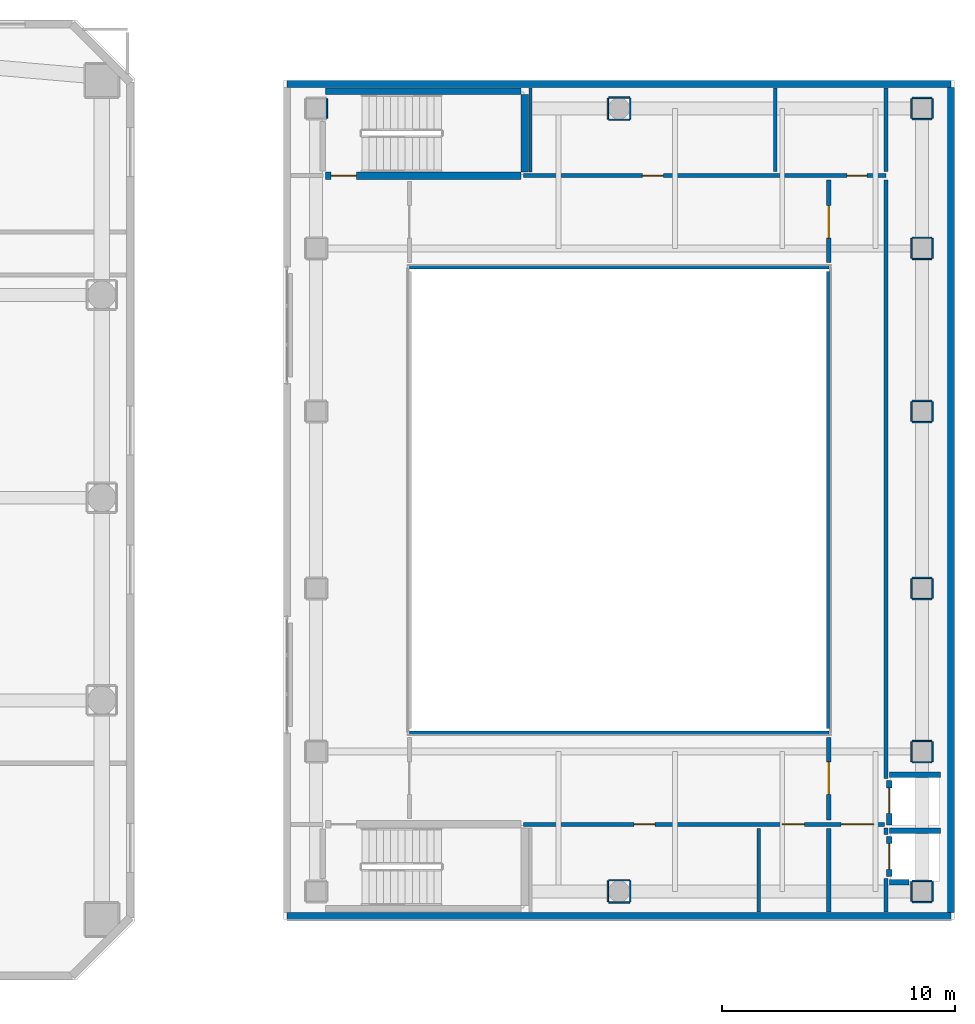
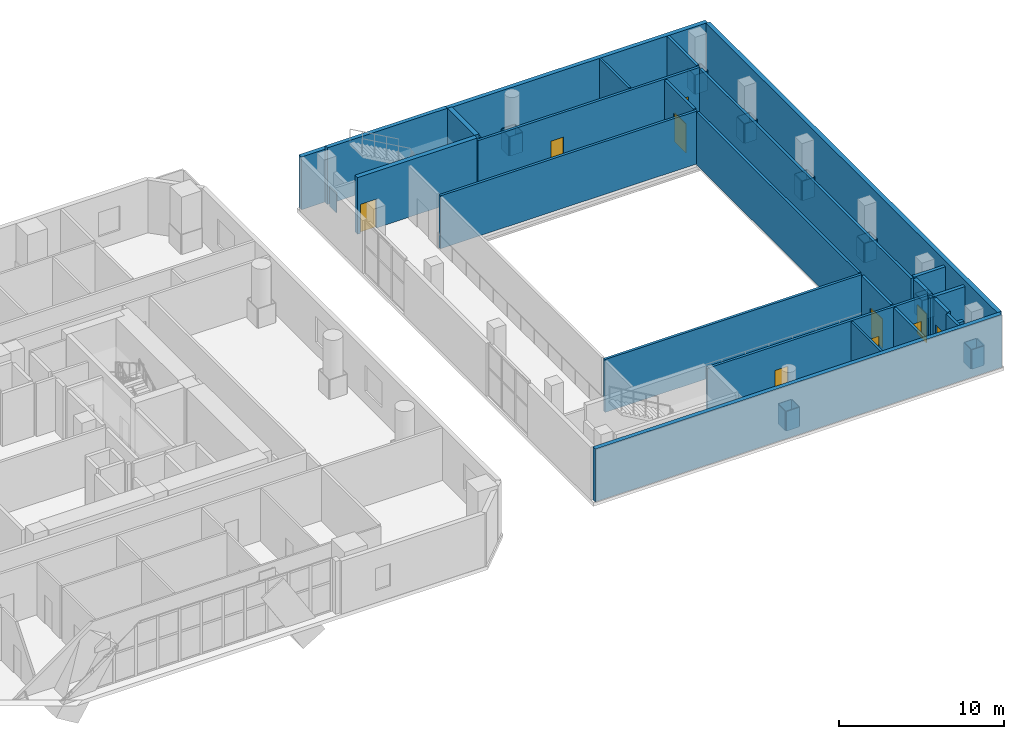
# One storey, part 16 of 20: 59 walls, 10 doors, 10 openings.
"""IFC4 building model written with IfcOpenShell, lengths in metres."""

import ifcopenshell
import ifcopenshell.guid

model = None  # the IFC model being written
_history = None  # IfcOwnerHistory: only IFC2X3 demands one
_inside = {}  # id of a spatial element -> (the spatial element, [elements in it])
_under = {}  # id of a project, library or spatial element -> (it, [spatial elements below it])
_declared = {}  # id of a project -> (the project, [libraries it declares])
_typed = {}  # id of a type object -> (the type object, [elements of that type])
_made_of = {}  # id of a material, layer set ... -> (it, [elements and type objects made of it])


def new_model(schema):
    """Start an empty IFC model of exactly this schema.

    Asked for "IFC4X3", IfcOpenShell would pick the latest addendum, in which some entities
    have other attributes; the version numbers below select the first issue.
    IFC2X3 requires an IfcOwnerHistory on every rooted entity: one is made here for all.
    """
    global model, _history
    if schema == "IFC4X3":
        model = ifcopenshell.file(schema_version=(4, 3, 0, 0))
    else:
        model = ifcopenshell.file(schema=schema)
    _inside.clear()
    _under.clear()
    _declared.clear()
    _typed.clear()
    _made_of.clear()
    _history = None
    if model.schema == "IFC2X3":
        org = make("IfcOrganization", Name="unknown")
        user = make(
            "IfcPersonAndOrganization",
            ThePerson=make("IfcPerson", FamilyName="unknown"),
            TheOrganization=org,
        )
        app = make(
            "IfcApplication",
            ApplicationDeveloper=org,
            Version="unknown",
            ApplicationFullName="unknown",
            ApplicationIdentifier="unknown",
        )
        _history = make(
            "IfcOwnerHistory",
            OwningUser=user,
            OwningApplication=app,
            ChangeAction="ADDED",
            CreationDate=0,
        )
    return model


def make(cls, **values):
    """One entity of the class cls with the attributes given. An attribute that is None is left unset."""
    return model.create_entity(
        cls, **{name: value for name, value in values.items() if value is not None}
    )


def rooted(cls, **values):
    """An entity with a GlobalId (a new one), such as an element, a storey or a relation."""
    return make(cls, GlobalId=ifcopenshell.guid.new(), OwnerHistory=_history, **values)


def si_unit(unit_type, name, prefix=None):
    """IfcSIUnit, for example si_unit("LENGTHUNIT", "METRE", prefix="MILLI")."""
    return make("IfcSIUnit", UnitType=unit_type, Prefix=prefix, Name=name)


def assignment(units):
    """IfcUnitAssignment: the units of a project."""
    return None if units is None else make("IfcUnitAssignment", Units=units)


def point(xyz):
    """IfcCartesianPoint."""
    return None if xyz is None else make("IfcCartesianPoint", Coordinates=xyz)


def direction(xyz):
    """IfcDirection."""
    return None if xyz is None else make("IfcDirection", DirectionRatios=xyz)


def frame(location, z_axis=None, x_axis=None):
    """IfcAxis2Placement3D, a coordinate frame: its origin and axes. An axis left out is left unset."""
    return make(
        "IfcAxis2Placement3D",
        Location=point(location),
        Axis=direction(z_axis),
        RefDirection=direction(x_axis),
    )


def frame_2d(location, x_axis=None):
    """IfcAxis2Placement2D, a coordinate frame in the plane: its origin and x axis."""
    return make(
        "IfcAxis2Placement2D", Location=point(location), RefDirection=direction(x_axis)
    )


def origin():
    """The frame at (0, 0, 0) with its axes left unset."""
    return frame((0.0, 0.0, 0.0))


def place(relative_to, where):
    """IfcLocalPlacement: puts the frame where relative to a parent placement (None: the world)."""
    return make(
        "IfcLocalPlacement", PlacementRelTo=relative_to, RelativePlacement=where
    )


def context(
    kind, dimensions, precision=None, world=None, true_north=None, identifier=None
):
    """IfcGeometricRepresentationContext, for example the 3D "Model" context."""
    return make(
        "IfcGeometricRepresentationContext",
        ContextIdentifier=identifier,
        ContextType=kind,
        CoordinateSpaceDimension=dimensions,
        Precision=precision,
        WorldCoordinateSystem=world,
        TrueNorth=true_north,
    )


def subcontext(parent, identifier, kind, view, scale=None):
    """IfcGeometricRepresentationSubContext, for example "Body" below "Model"."""
    return make(
        "IfcGeometricRepresentationSubContext",
        ContextIdentifier=identifier,
        ContextType=kind,
        ParentContext=parent,
        TargetScale=scale,
        TargetView=view,
    )


def project(units=None, contexts=None):
    """IfcProject with its units and contexts."""
    return rooted(
        "IfcProject",
        Name="project",
        RepresentationContexts=contexts,
        UnitsInContext=assignment(units),
    )


def spatial(cls, under=None, at=None, **own):
    """A site, building, storey or space (cls), placed at a placement, below another one or the project."""
    s = rooted(cls, ObjectPlacement=at, **own)
    if under is not None:
        _under.setdefault(under.id(), (under, []))[1].append(s)
    return s


def profile(cls, at=None, kind="AREA", **sizes):
    """A parametric profile (cls). Its sizes go by their IFC names, for example OverallWidth=200.0."""
    return make(cls, ProfileType=kind, Position=at, **sizes)


def rectangle(**sizes):
    """IfcRectangleProfileDef."""
    return profile("IfcRectangleProfileDef", **sizes)


def extrude(swept, where, along, depth):
    """IfcExtrudedAreaSolid: the profile swept, set in the frame where, extruded along a direction by depth."""
    return make(
        "IfcExtrudedAreaSolid",
        SweptArea=swept,
        Position=where,
        ExtrudedDirection=direction(along),
        Depth=depth,
    )


def shape(context_of_items, identifier, shape_type, items):
    """IfcShapeRepresentation: the items that make up one representation, for example the "Body"."""
    return make(
        "IfcShapeRepresentation",
        ContextOfItems=context_of_items,
        RepresentationIdentifier=identifier,
        RepresentationType=shape_type,
        Items=items,
    )


def material(Name=None, Category=None):
    """IfcMaterial."""
    return make("IfcMaterial", Name=Name, Category=Category)


def layer(
    of_material, thickness, ventilated=None, Name=None, Category=None, Priority=None
):
    """IfcMaterialLayer: one layer of a wall or slab, of a material (None: an air gap)."""
    return make(
        "IfcMaterialLayer",
        Material=of_material,
        LayerThickness=thickness,
        IsVentilated=ventilated,
        Name=Name,
        Category=Category,
        Priority=Priority,
    )


def layer_set(layers, Name=None):
    """IfcMaterialLayerSet."""
    return make("IfcMaterialLayerSet", MaterialLayers=layers, LayerSetName=Name)


def made_of(thing, what):
    """Note that an element or type object is made of a material, layer set ...; save() writes the relation."""
    if what is not None:
        _made_of.setdefault(what.id(), (what, []))[1].append(thing)
    return thing


def type_object(cls, material=None, **own):
    """A type object (cls), such as IfcWallType, which elements share."""
    return made_of(rooted(cls, **own), material)


def element(
    cls,
    number,
    at=None,
    inside=None,
    cuts=None,
    type_object=None,
    material=None,
    context=None,
    identifier="Body",
    shape_type=None,
    held_by="IfcProductDefinitionShape",
    body=None,
    shapes=None,
    **own,
):
    """One element of the class cls, such as IfcWall. Its Tag is "e" and its number.

    at: its placement. inside: the storey or other place that contains it. cuts: it is an
    opening in that element (IfcRelVoidsElement). A single representation is given by context,
    identifier, shape_type and body (its items); several are given by shapes. held_by: the class
    of the entity that holds the representations. save() writes the other relations.
    """
    e = rooted(cls, Tag="e%d" % number, ObjectPlacement=at, **own)
    if body is not None:
        shapes = [shape(context, identifier, shape_type, body)]
    if shapes is not None:
        e.Representation = make(held_by, Representations=shapes)
    if inside is not None:
        _inside.setdefault(inside.id(), (inside, []))[1].append(e)
    if cuts is not None:
        rooted(
            "IfcRelVoidsElement", RelatingBuildingElement=cuts, RelatedOpeningElement=e
        )
    if type_object is not None:
        _typed.setdefault(type_object.id(), (type_object, []))[1].append(e)
    return made_of(e, material)


def fill(opening, filler):
    """IfcRelFillsElement: the door or window that sits in an opening."""
    return rooted(
        "IfcRelFillsElement",
        RelatingOpeningElement=opening,
        RelatedBuildingElement=filler,
    )


def aggregate(whole, parts):
    """IfcRelAggregates: a whole, such as a stair, and the parts it consists of."""
    return rooted("IfcRelAggregates", RelatingObject=whole, RelatedObjects=parts)


def save(model, path):
    """Write the relations noted so far, then the file.

    IfcRelAggregates (storeys below a building ...), IfcRelContainedInSpatialStructure (elements
    in a storey), IfcRelDefinesByType, IfcRelAssociatesMaterial and IfcRelDeclares: one each for
    every whole, place, type object, material and project.
    """
    for whole, parts in _under.values():
        aggregate(whole, parts)
    for where, things in _inside.values():
        rooted(
            "IfcRelContainedInSpatialStructure",
            RelatedElements=things,
            RelatingStructure=where,
        )
    for kind, things in _typed.values():
        rooted("IfcRelDefinesByType", RelatedObjects=things, RelatingType=kind)
    for what, things in _made_of.values():
        rooted("IfcRelAssociatesMaterial", RelatedObjects=things, RelatingMaterial=what)
    for by, libraries in _declared.values():
        rooted("IfcRelDeclares", RelatingContext=by, RelatedDefinitions=libraries)
    model.write(path)


model = new_model("IFC4")

# Units and contexts
model_context = context("Model", 3, precision=1e-05, world=origin(), true_north=direction((0.0, 1.0)))
body_context = subcontext(model_context, "Body", "Model", "MODEL_VIEW")
ifc_project = project(units=[si_unit("LENGTHUNIT", "METRE"), si_unit("AREAUNIT", "SQUARE_METRE"), si_unit("VOLUMEUNIT", "CUBIC_METRE"), si_unit("PLANEANGLEUNIT", "RADIAN"), si_unit("MASSUNIT", "GRAM", prefix="KILO")], contexts=[model_context])

# Site, building, storey
site_placement = place(None, origin())
site = spatial("IfcSite", under=ifc_project, at=site_placement, CompositionType="ELEMENT")
building_placement = place(site_placement, origin())
building = spatial("IfcBuilding", under=site, at=building_placement, Name="Solanera Arch Residences", CompositionType="ELEMENT")
storey_placement = place(building_placement, frame((0.0, 0.0, 9.39990234375)))
storey = spatial("IfcBuildingStorey", under=building, at=storey_placement, Name="L02", CompositionType="ELEMENT", Elevation=9.39990234375)

# Walls
ifc_material_1 = material(Name="Fire-Rated Gypsum Stud Partition", Category="gypsum")
ifc_layer_1 = layer(ifc_material_1, 0.06005859375)
ifc_layer_set_1 = layer_set([ifc_layer_1], Name="Fire-Rated Gypsum Stud Partition")
wall_type_1 = type_object("IfcWallType", Name="Column Acoustic Furring Wall 60", PredefinedType="PARTITIONING", material=ifc_layer_set_1)
wall_1_placement = place(storey_placement, frame((56.257080078125, 46.97509765625, 0.0), z_axis=(0.0, 0.0, 1.0), x_axis=(0.0, 1.0, 0.0)))
element("IfcWall", 1, at=wall_1_placement, inside=storey, type_object=wall_type_1, Name="L02 Column Furring 30E", PredefinedType="PARTITIONING", context=body_context, shape_type="SweptSolid", body=[
    extrude(rectangle(XDim=0.849853515625, YDim=0.06005859375, at=frame_2d((0.4248046875, 0.0))), origin(), (0.0, 0.0, 1.0), 1.4501953125),
])
for number, where, z_axis, x_axis, name in (
    (2, (81.375, 13.343017578125, 0.0), (0.0, 0.0, 1.0), (1.0, 0.0, 0.0), "L02 Column Furring 31S"),
    (3, (81.375, 14.257080078125, 0.0), (0.0, 0.0, 1.0), (1.0, 0.0, 0.0), "L02 Column Furring 31N"),
    (4, (81.343017578125, 13.375, 0.0), (0.0, 0.0, 1.0), (0.0, 1.0, 0.0), "L02 Column Furring 31W"),
    (5, (82.257080078125, 13.375, 0.0), (0.0, 0.0, 1.0), (0.0, 1.0, 0.0), "L02 Column Furring 31E"),
    (6, (81.375, 19.343017578125, 0.0), (0.0, 0.0, 1.0), (1.0, 0.0, 0.0), "L02 Column Furring 32S"),
    (7, (81.375, 20.257080078125, 0.0), (0.0, 0.0, 1.0), (1.0, 0.0, 0.0), "L02 Column Furring 32N"),
    (8, (81.343017578125, 19.375, 0.0), (0.0, 0.0, 1.0), (0.0, 1.0, 0.0), "L02 Column Furring 32W"),
    (9, (82.257080078125, 19.375, 0.0), (0.0, 0.0, 1.0), (0.0, 1.0, 0.0), "L02 Column Furring 32E"),
    (10, (81.375, 26.343017578125, 0.0), (0.0, 0.0, 1.0), (1.0, 0.0, 0.0), "L02 Column Furring 33S"),
    (11, (81.375, 27.257080078125, 0.0), (0.0, 0.0, 1.0), (1.0, 0.0, 0.0), "L02 Column Furring 33N"),
    (12, (81.343017578125, 26.375, 0.0), (0.0, 0.0, 1.0), (0.0, 1.0, 0.0), "L02 Column Furring 33W"),
    (13, (82.257080078125, 26.375, 0.0), (0.0, 0.0, 1.0), (0.0, 1.0, 0.0), "L02 Column Furring 33E"),
    (14, (81.375, 33.943115234375, 0.0), (0.0, 0.0, 1.0), (1.0, 0.0, 0.0), "L02 Column Furring 34S"),
    (15, (81.375, 34.85693359375, 0.0), (0.0, 0.0, 1.0), (1.0, 0.0, 0.0), "L02 Column Furring 34N"),
):
    element("IfcWall", number, at=place(storey_placement, frame(where, z_axis=z_axis, x_axis=x_axis)), inside=storey, type_object=wall_type_1, Name=name, PredefinedType="PARTITIONING", context=body_context, shape_type="SweptSolid", body=[
        extrude(rectangle(XDim=0.85009765625, YDim=0.06005859375, at=frame_2d((0.425048828125, 0.0))), origin(), (0.0, 0.0, 1.0), 1.4501953125),
    ])
for number, where, z_axis, x_axis, name in (
    (16, (81.343017578125, 33.97509765625, 0.0), (0.0, 0.0, 1.0), (0.0, 1.0, 0.0), "L02 Column Furring 34W"),
    (17, (82.257080078125, 33.97509765625, 0.0), (0.0, 0.0, 1.0), (0.0, 1.0, 0.0), "L02 Column Furring 34E"),
):
    element("IfcWall", number, at=place(storey_placement, frame(where, z_axis=z_axis, x_axis=x_axis)), inside=storey, type_object=wall_type_1, Name=name, PredefinedType="PARTITIONING", context=body_context, shape_type="SweptSolid", body=[
        extrude(rectangle(XDim=0.849853515625, YDim=0.06005859375, at=frame_2d((0.4248046875, 0.0))), origin(), (0.0, 0.0, 1.0), 1.4501953125),
    ])
for number, where, z_axis, x_axis, name in (
    (18, (81.375, 40.943115234375, 0.0), (0.0, 0.0, 1.0), (1.0, 0.0, 0.0), "L02 Column Furring 35S"),
    (19, (81.375, 41.85693359375, 0.0), (0.0, 0.0, 1.0), (1.0, 0.0, 0.0), "L02 Column Furring 35N"),
):
    element("IfcWall", number, at=place(storey_placement, frame(where, z_axis=z_axis, x_axis=x_axis)), inside=storey, type_object=wall_type_1, Name=name, PredefinedType="PARTITIONING", context=body_context, shape_type="SweptSolid", body=[
        extrude(rectangle(XDim=0.85009765625, YDim=0.06005859375, at=frame_2d((0.425048828125, 0.0))), origin(), (0.0, 0.0, 1.0), 1.4501953125),
    ])
for number, where, z_axis, x_axis, name in (
    (20, (81.343017578125, 40.97509765625, 0.0), (0.0, 0.0, 1.0), (0.0, 1.0, 0.0), "L02 Column Furring 35W"),
    (21, (82.257080078125, 40.97509765625, 0.0), (0.0, 0.0, 1.0), (0.0, 1.0, 0.0), "L02 Column Furring 35E"),
):
    element("IfcWall", number, at=place(storey_placement, frame(where, z_axis=z_axis, x_axis=x_axis)), inside=storey, type_object=wall_type_1, Name=name, PredefinedType="PARTITIONING", context=body_context, shape_type="SweptSolid", body=[
        extrude(rectangle(XDim=0.849853515625, YDim=0.06005859375, at=frame_2d((0.4248046875, 0.0))), origin(), (0.0, 0.0, 1.0), 1.4501953125),
    ])
for number, where, z_axis, x_axis, name in (
    (22, (81.375, 46.943115234375, 0.0), (0.0, 0.0, 1.0), (1.0, 0.0, 0.0), "L02 Column Furring 36S"),
    (23, (81.375, 47.85693359375, 0.0), (0.0, 0.0, 1.0), (1.0, 0.0, 0.0), "L02 Column Furring 36N"),
):
    element("IfcWall", number, at=place(storey_placement, frame(where, z_axis=z_axis, x_axis=x_axis)), inside=storey, type_object=wall_type_1, Name=name, PredefinedType="PARTITIONING", context=body_context, shape_type="SweptSolid", body=[
        extrude(rectangle(XDim=0.85009765625, YDim=0.06005859375, at=frame_2d((0.425048828125, 0.0))), origin(), (0.0, 0.0, 1.0), 1.4501953125),
    ])
for number, where, z_axis, x_axis, name in (
    (24, (81.343017578125, 46.97509765625, 0.0), (0.0, 0.0, 1.0), (0.0, 1.0, 0.0), "L02 Column Furring 36W"),
    (25, (82.257080078125, 46.97509765625, 0.0), (0.0, 0.0, 1.0), (0.0, 1.0, 0.0), "L02 Column Furring 36E"),
):
    element("IfcWall", number, at=place(storey_placement, frame(where, z_axis=z_axis, x_axis=x_axis)), inside=storey, type_object=wall_type_1, Name=name, PredefinedType="PARTITIONING", context=body_context, shape_type="SweptSolid", body=[
        extrude(rectangle(XDim=0.849853515625, YDim=0.06005859375, at=frame_2d((0.4248046875, 0.0))), origin(), (0.0, 0.0, 1.0), 1.4501953125),
    ])
for number, where, z_axis, x_axis, name in (
    (26, (68.35009765625, 13.318115234375, 0.0), (0.0, 0.0, 1.0), (1.0, 0.0, 0.0), "L02 Column Furring 37S"),
    (27, (68.35009765625, 14.281982421875, 0.0), (0.0, 0.0, 1.0), (1.0, 0.0, 0.0), "L02 Column Furring 37N"),
    (28, (68.318115234375, 13.35009765625, 0.0), (0.0, 0.0, 1.0), (0.0, 1.0, 0.0), "L02 Column Furring 37W"),
    (29, (69.281982421875, 13.35009765625, 0.0), (0.0, 0.0, 1.0), (0.0, 1.0, 0.0), "L02 Column Furring 37E"),
    (30, (68.35009765625, 46.91796875, 0.0), (0.0, 0.0, 1.0), (1.0, 0.0, 0.0), "L02 Column Furring 38S"),
    (31, (68.35009765625, 47.882080078125, 0.0), (0.0, 0.0, 1.0), (1.0, 0.0, 0.0), "L02 Column Furring 38N"),
):
    element("IfcWall", number, at=place(storey_placement, frame(where, z_axis=z_axis, x_axis=x_axis)), inside=storey, type_object=wall_type_1, Name=name, PredefinedType="PARTITIONING", context=body_context, shape_type="SweptSolid", body=[
        extrude(rectangle(XDim=0.89990234375, YDim=0.06005859375, at=frame_2d((0.449951171875, 0.0))), origin(), (0.0, 0.0, 1.0), 1.4501953125),
    ])
for number, where, z_axis, x_axis, name in (
    (32, (68.318115234375, 46.949951171875, 0.0), (0.0, 0.0, 1.0), (0.0, 1.0, 0.0), "L02 Column Furring 38W"),
    (33, (69.281982421875, 46.949951171875, 0.0), (0.0, 0.0, 1.0), (0.0, 1.0, 0.0), "L02 Column Furring 38E"),
):
    element("IfcWall", number, at=place(storey_placement, frame(where, z_axis=z_axis, x_axis=x_axis)), inside=storey, type_object=wall_type_1, Name=name, PredefinedType="PARTITIONING", context=body_context, shape_type="SweptSolid", body=[
        extrude(rectangle(XDim=0.900146484375, YDim=0.06005859375, at=frame_2d((0.4501953125, 0.0))), origin(), (0.0, 0.0, 1.0), 1.4501953125),
    ])
ifc_material_2 = material(Name="Concrete C40/50 (f'c = 45 MPa)", Category="concrete")
ifc_layer_2 = layer(ifc_material_2, 0.320068359375)
ifc_layer_set_2 = layer_set([ifc_layer_2], Name="Concrete C40/50 (f'c = 45 MPa)")
wall_type_2 = type_object("IfcWallType", Name="Core Shear Wall CW-320", PredefinedType="SHEAR", material=ifc_layer_set_2)
wall_2_placement = place(storey_placement, frame((64.760009765625, 44.679931640625, 0.0), z_axis=(0.0, 0.0, 1.0), x_axis=(0.0, 1.0, 0.0)))
element("IfcWall", 34, at=wall_2_placement, inside=storey, type_object=wall_type_2, Name="L02 Stair ST-H2 East Shear Wall", PredefinedType="SHEAR", context=body_context, shape_type="SweptSolid", body=[
    extrude(rectangle(XDim=3.320068359375, YDim=0.320068359375, at=frame_2d((1.66015625, 0.0))), origin(), (0.0, 0.0, 1.0), 4.2001953125),
])
wall_3_placement = place(storey_placement, frame((56.199951171875, 48.139892578125, 0.0), z_axis=(0.0, 0.0, 1.0), x_axis=(1.0, 0.0, 0.0)))
element("IfcWall", 35, at=wall_3_placement, inside=storey, type_object=wall_type_2, Name="L02 Stair ST-H2 North Shear Wall", PredefinedType="SHEAR", context=body_context, shape_type="SweptSolid", body=[
    extrude(rectangle(XDim=8.400146484375, YDim=0.280029296875, at=frame_2d((4.2001953125, 0.0))), origin(), (0.0, 0.0, 1.0), 4.2001953125),
])

# Wall, opening, door
wall_4_placement = place(storey_placement, frame((56.199951171875, 44.52001953125, 0.0), z_axis=(0.0, 0.0, 1.0), x_axis=(1.0, 0.0, 0.0)))
wall_4 = element("IfcWall", 36, at=wall_4_placement, inside=storey, type_object=wall_type_2, Name="L02 Stair ST-H2 South Shear Wall", PredefinedType="SHEAR", context=body_context, shape_type="SweptSolid", body=[
    extrude(rectangle(XDim=8.400146484375, YDim=0.320068359375, at=frame_2d((4.2001953125, 0.0))), origin(), (0.0, 0.0, 1.0), 4.2001953125),
])
opening_1_placement = place(wall_4_placement, frame((0.22998046875, 0.0, 0.0)))
opening_1 = element("IfcOpeningElement", 37, at=opening_1_placement, cuts=wall_4, Name="Opening DF-01", PredefinedType="OPENING", context=body_context, shape_type="SweptSolid", body=[
    extrude(rectangle(XDim=1.10009765625, YDim=2.14990234375, at=frame_2d((0.550048828125, 1.074951171875))), frame((0.0, 0.169921875, 0.0), z_axis=(0.0, -1.0, 0.0), x_axis=(1.0, 0.0, 0.0)), (0.0, 0.0, 1.0), 0.3401),
])
ifc_material_3 = material(Name="Fire-Rated Architectural Hardwood", Category="wood")
door_type_1 = type_object("IfcDoorType", Name="Stair Exit Fire Door DF-01", OperationType="NOTDEFINED", PredefinedType="DOOR", material=ifc_material_3)
door_1_placement = place(opening_1_placement, origin())
door_1 = element("IfcDoor", 38, at=door_1_placement, inside=storey, type_object=door_type_1, Name="DR-L02-STAIR-ST-H2", OperationType="SINGLE_SWING_RIGHT", OverallHeight=2.14990234375, OverallWidth=1.10009765625, PredefinedType="DOOR", context=body_context, shape_type="SweptSolid", body=[
    extrude(rectangle(XDim=1.10009765625, YDim=2.14990234375, at=frame_2d((0.550048828125, 1.074951171875))), frame((0.0, 0.02490234375, 0.0), z_axis=(0.0, -1.0, 0.0), x_axis=(1.0, 0.0, 0.0)), (0.0, 0.0, 1.0), 0.050048828125),
])
fill(opening_1, door_1)

# Wall, openings, doors
ifc_material_4 = material(Name="Autoclaved Aerated Concrete Blockwork", Category="masonry")
ifc_layer_3 = layer(ifc_material_4, 0.179931640625)
ifc_layer_set_3 = layer_set([ifc_layer_3], Name="Autoclaved Aerated Concrete Blockwork")
wall_type_3 = type_object("IfcWallType", Name="Corridor Fire Partition 180", PredefinedType="PARTITIONING", material=ifc_layer_set_3)
wall_5_placement = place(storey_placement, frame((64.699951171875, 16.679931640625, 0.0), z_axis=(0.0, 0.0, 1.0), x_axis=(1.0, 0.0, 0.0)))
wall_5 = element("IfcWall", 39, at=wall_5_placement, inside=storey, type_object=wall_type_3, Name="L02 Interior Partition H8 2", PredefinedType="PARTITIONING", context=body_context, shape_type="SweptSolid", body=[
    extrude(rectangle(XDim=15.48193359375, YDim=0.179931640625, at=frame_2d((7.740966796875, 0.0))), origin(), (0.0, 0.0, 1.0), 3.920166015625),
])
opening_2_placement = place(wall_5_placement, frame((13.625, 0.0, 0.0)))
opening_2 = element("IfcOpeningElement", 40, at=opening_2_placement, cuts=wall_5, Name="Opening DF-03", PredefinedType="OPENING", context=body_context, shape_type="SweptSolid", body=[
    extrude(rectangle(XDim=1.39990234375, YDim=2.14990234375, at=frame_2d((0.699951171875, 1.074951171875))), frame((0.0, 0.10009765625, 0.0), z_axis=(0.0, -1.0, 0.0), x_axis=(1.0, 0.0, 0.0)), (0.0, 0.0, 1.0), 0.1999),
])
opening_3_placement = place(wall_5_placement, frame((4.75, 0.0, 0.0)))
opening_3 = element("IfcOpeningElement", 41, at=opening_3_placement, cuts=wall_5, Name="Opening DI-02", PredefinedType="OPENING", context=body_context, shape_type="SweptSolid", body=[
    extrude(rectangle(XDim=0.89990234375, YDim=2.10009765625, at=frame_2d((0.449951171875, 1.050048828125))), frame((0.0, 0.10009765625, 0.0), z_axis=(0.0, -1.0, 0.0), x_axis=(1.0, 0.0, 0.0)), (0.0, 0.0, 1.0), 0.1999),
])
opening_4_placement = place(wall_5_placement, frame((11.10107421875, 0.0, 0.0)))
opening_4 = element("IfcOpeningElement", 42, at=opening_4_placement, cuts=wall_5, Name="Opening DI-04", PredefinedType="OPENING", context=body_context, shape_type="SweptSolid", body=[
    extrude(rectangle(XDim=0.949951171875, YDim=2.10009765625, at=frame_2d((0.47509765625, 1.050048828125))), frame((0.0, 0.10009765625, 0.0), z_axis=(0.0, -1.0, 0.0), x_axis=(1.0, 0.0, 0.0)), (0.0, 0.0, 1.0), 0.1999),
])
ifc_material_5 = material(Name="Fire-Rated Architectural Hardwood", Category="wood")
door_type_2 = type_object("IfcDoorType", Name="Accessible Restroom Door DI-04", OperationType="NOTDEFINED", PredefinedType="DOOR", material=ifc_material_5)
door_2_placement = place(opening_4_placement, origin())
door_2 = element("IfcDoor", 43, at=door_2_placement, inside=storey, type_object=door_type_2, Name="DR-L02-IN-044", OperationType="SINGLE_SWING_LEFT", OverallHeight=2.10009765625, OverallWidth=0.949951171875, PredefinedType="DOOR", context=body_context, shape_type="SweptSolid", body=[
    extrude(rectangle(XDim=0.949951171875, YDim=2.10009765625, at=frame_2d((0.47509765625, 1.050048828125))), frame((0.0, 0.02490234375, 0.0), z_axis=(0.0, -1.0, 0.0), x_axis=(1.0, 0.0, 0.0)), (0.0, 0.0, 1.0), 0.050048828125),
])
fill(opening_4, door_2)
ifc_material_6 = material(Name="Fire-Rated Architectural Hardwood", Category="wood")
door_type_3 = type_object("IfcDoorType", Name="Corridor Smoke Door DF-03", OperationType="NOTDEFINED", PredefinedType="DOOR", material=ifc_material_6)
door_3_placement = place(opening_2_placement, origin())
door_3 = element("IfcDoor", 44, at=door_3_placement, inside=storey, type_object=door_type_3, Name="DR-L02-IN-022", OperationType="SINGLE_SWING_LEFT", OverallHeight=2.14990234375, OverallWidth=1.39990234375, PredefinedType="DOOR", context=body_context, shape_type="SweptSolid", body=[
    extrude(rectangle(XDim=1.39990234375, YDim=2.14990234375, at=frame_2d((0.699951171875, 1.074951171875))), frame((0.0, 0.02490234375, 0.0), z_axis=(0.0, -1.0, 0.0), x_axis=(1.0, 0.0, 0.0)), (0.0, 0.0, 1.0), 0.050048828125),
])
fill(opening_2, door_3)
ifc_material_7 = material(Name="Fire-Rated Architectural Hardwood", Category="wood")
door_type_4 = type_object("IfcDoorType", Name="Suite Room Swing Door DI-02", OperationType="NOTDEFINED", PredefinedType="DOOR", material=ifc_material_7)
door_4_placement = place(opening_3_placement, origin())
door_4 = element("IfcDoor", 45, at=door_4_placement, inside=storey, type_object=door_type_4, Name="DR-L02-IN-043", OperationType="SINGLE_SWING_RIGHT", OverallHeight=2.10009765625, OverallWidth=0.89990234375, PredefinedType="DOOR", context=body_context, shape_type="SweptSolid", body=[
    extrude(rectangle(XDim=0.89990234375, YDim=2.10009765625, at=frame_2d((0.449951171875, 1.050048828125))), frame((0.0, 0.02490234375, 0.0), z_axis=(0.0, -1.0, 0.0), x_axis=(1.0, 0.0, 0.0)), (0.0, 0.0, 1.0), 0.050048828125),
])
fill(opening_3, door_4)

# Walls
for number, where, z_axis, x_axis, name in (
    (46, (59.800048828125, 20.60009765625, 0.0), (0.0, 0.0, 1.0), (1.0, 0.0, 0.0), "L02 Interior Partition H10"),
    (47, (59.800048828125, 40.60009765625, 0.0), (0.0, 0.0, 1.0), (1.0, 0.0, 0.0), "L02 Interior Partition H14"),
):
    element("IfcWall", number, at=place(storey_placement, frame(where, z_axis=z_axis, x_axis=x_axis)), inside=storey, type_object=wall_type_3, Name=name, PredefinedType="PARTITIONING", context=body_context, shape_type="SweptSolid", body=[
        extrude(rectangle(XDim=18.0, YDim=0.179931640625, at=frame_2d((9.0, 0.0))), origin(), (0.0, 0.0, 1.0), 3.920166015625),
    ])

# Wall, openings, doors
wall_6_placement = place(storey_placement, frame((64.699951171875, 44.52001953125, 0.0), z_axis=(0.0, 0.0, 1.0), x_axis=(1.0, 0.0, 0.0)))
wall_6 = element("IfcWall", 48, at=wall_6_placement, inside=storey, type_object=wall_type_3, Name="L02 Interior Partition H16 2", PredefinedType="PARTITIONING", context=body_context, shape_type="SweptSolid", body=[
    extrude(rectangle(XDim=15.550048828125, YDim=0.179931640625, at=frame_2d((7.77490234375, 0.0))), origin(), (0.0, 0.0, 1.0), 3.920166015625),
])
opening_5_placement = place(wall_6_placement, frame((5.10009765625, 0.0, 0.0)))
opening_5 = element("IfcOpeningElement", 49, at=opening_5_placement, cuts=wall_6, Name="Opening DI-02", PredefinedType="OPENING", context=body_context, shape_type="SweptSolid", body=[
    extrude(rectangle(XDim=0.89990234375, YDim=2.10009765625, at=frame_2d((0.449951171875, 1.050048828125))), frame((0.0, 0.10009765625, 0.0), z_axis=(0.0, -1.0, 0.0), x_axis=(1.0, 0.0, 0.0)), (0.0, 0.0, 1.0), 0.1999),
])
opening_6_placement = place(wall_6_placement, frame((13.881103515625, 0.0, 0.0)))
opening_6 = element("IfcOpeningElement", 50, at=opening_6_placement, cuts=wall_6, Name="Opening DI-05", PredefinedType="OPENING", context=body_context, shape_type="SweptSolid", body=[
    extrude(rectangle(XDim=0.860107421875, YDim=2.02001953125, at=frame_2d((0.43017578125, 1.010009765625))), frame((0.0, 0.10009765625, 0.0), z_axis=(0.0, -1.0, 0.0), x_axis=(1.0, 0.0, 0.0)), (0.0, 0.0, 1.0), 0.1999),
])
ifc_material_8 = material(Name="Fire-Rated Architectural Hardwood", Category="wood")
door_type_5 = type_object("IfcDoorType", Name="Bathroom Swing Door DI-05", OperationType="NOTDEFINED", PredefinedType="DOOR", material=ifc_material_8)
door_5_placement = place(opening_6_placement, origin())
door_5 = element("IfcDoor", 51, at=door_5_placement, inside=storey, type_object=door_type_5, Name="DR-L02-IN-046", OperationType="SINGLE_SWING_LEFT", OverallHeight=2.02001953125, OverallWidth=0.860107421875, PredefinedType="DOOR", context=body_context, shape_type="SweptSolid", body=[
    extrude(rectangle(XDim=0.860107421875, YDim=2.02001953125, at=frame_2d((0.43017578125, 1.010009765625))), frame((0.0, 0.02490234375, 0.0), z_axis=(0.0, -1.0, 0.0), x_axis=(1.0, 0.0, 0.0)), (0.0, 0.0, 1.0), 0.050048828125),
])
fill(opening_6, door_5)
door_6_placement = place(opening_5_placement, origin())
door_6 = element("IfcDoor", 52, at=door_6_placement, inside=storey, type_object=door_type_4, Name="DR-L02-IN-045", OperationType="SINGLE_SWING_RIGHT", OverallHeight=2.10009765625, OverallWidth=0.89990234375, PredefinedType="DOOR", context=body_context, shape_type="SweptSolid", body=[
    extrude(rectangle(XDim=0.89990234375, YDim=2.10009765625, at=frame_2d((0.449951171875, 1.050048828125))), frame((0.0, 0.02490234375, 0.0), z_axis=(0.0, -1.0, 0.0), x_axis=(1.0, 0.0, 0.0)), (0.0, 0.0, 1.0), 0.050048828125),
])
fill(opening_5, door_6)

# Wall
wall_7_placement = place(storey_placement, frame((77.800048828125, 12.912109375, 0.0), z_axis=(0.0, 0.0, 1.0), x_axis=(0.0, 1.0, 0.0)))
element("IfcWall", 53, at=wall_7_placement, inside=storey, type_object=wall_type_3, Name="L02 Interior Partition V15 1", PredefinedType="PARTITIONING", context=body_context, shape_type="SweptSolid", body=[
    extrude(rectangle(XDim=3.579833984375, YDim=0.179931640625, at=frame_2d((1.7900390625, 0.0))), origin(), (0.0, 0.0, 1.0), 3.920166015625),
])

# Wall, opening, door
wall_8_placement = place(storey_placement, frame((77.800048828125, 16.867919921875, 0.0), z_axis=(0.0, 0.0, 1.0), x_axis=(0.0, 1.0, 0.0)))
wall_8 = element("IfcWall", 54, at=wall_8_placement, inside=storey, type_object=wall_type_3, Name="L02 Interior Partition V15 2", PredefinedType="PARTITIONING", context=body_context, shape_type="SweptSolid", body=[
    extrude(rectangle(XDim=3.544189453125, YDim=0.179931640625, at=frame_2d((1.77197265625, 0.0))), origin(), (0.0, 0.0, 1.0), 3.920166015625),
])
opening_7_placement = place(wall_8_placement, frame((1.095947265625, 0.0, 0.0)))
opening_7 = element("IfcOpeningElement", 55, at=opening_7_placement, cuts=wall_8, Name="Opening DF-03", PredefinedType="OPENING", context=body_context, shape_type="SweptSolid", body=[
    extrude(rectangle(XDim=1.39990234375, YDim=2.14990234375, at=frame_2d((0.699951171875, 1.074951171875))), frame((0.0, 0.10009765625, 0.0), z_axis=(0.0, -1.0, 0.0), x_axis=(1.0, 0.0, 0.0)), (0.0, 0.0, 1.0), 0.1999),
])
door_7_placement = place(opening_7_placement, origin())
door_7 = element("IfcDoor", 56, at=door_7_placement, inside=storey, type_object=door_type_3, Name="DR-L02-IN-020", OperationType="SINGLE_SWING_LEFT", OverallHeight=2.14990234375, OverallWidth=1.39990234375, PredefinedType="DOOR", context=body_context, shape_type="SweptSolid", body=[
    extrude(rectangle(XDim=1.39990234375, YDim=2.14990234375, at=frame_2d((0.699951171875, 1.074951171875))), frame((0.0, 0.02490234375, 0.0), z_axis=(0.0, -1.0, 0.0), x_axis=(1.0, 0.0, 0.0)), (0.0, 0.0, 1.0), 0.050048828125),
])
fill(opening_7, door_7)

# Wall
wall_9_placement = place(storey_placement, frame((77.800048828125, 20.7880859375, 0.0), z_axis=(0.0, 0.0, 1.0), x_axis=(0.0, 1.0, 0.0)))
element("IfcWall", 57, at=wall_9_placement, inside=storey, type_object=wall_type_3, Name="L02 Interior Partition V15 3", PredefinedType="PARTITIONING", context=body_context, shape_type="SweptSolid", body=[
    extrude(rectangle(XDim=19.6240234375, YDim=0.179931640625, at=frame_2d((9.81201171875, 0.0))), origin(), (0.0, 0.0, 1.0), 3.920166015625),
])

# Wall, opening, door
wall_10_placement = place(storey_placement, frame((77.800048828125, 40.7880859375, 0.0), z_axis=(0.0, 0.0, 1.0), x_axis=(0.0, 1.0, 0.0)))
wall_10 = element("IfcWall", 58, at=wall_10_placement, inside=storey, type_object=wall_type_3, Name="L02 Interior Partition V15 4", PredefinedType="PARTITIONING", context=body_context, shape_type="SweptSolid", body=[
    extrude(rectangle(XDim=3.5439453125, YDim=0.179931640625, at=frame_2d((1.77197265625, 0.0))), origin(), (0.0, 0.0, 1.0), 3.920166015625),
])
opening_8_placement = place(wall_10_placement, frame((1.048095703125, 0.0, 0.0)))
opening_8 = element("IfcOpeningElement", 59, at=opening_8_placement, cuts=wall_10, Name="Opening DF-03", PredefinedType="OPENING", context=body_context, shape_type="SweptSolid", body=[
    extrude(rectangle(XDim=1.39990234375, YDim=2.14990234375, at=frame_2d((0.699951171875, 1.074951171875))), frame((0.0, 0.10009765625, 0.0), z_axis=(0.0, -1.0, 0.0), x_axis=(1.0, 0.0, 0.0)), (0.0, 0.0, 1.0), 0.1999),
])
door_8_placement = place(opening_8_placement, origin())
door_8 = element("IfcDoor", 60, at=door_8_placement, inside=storey, type_object=door_type_3, Name="DR-L02-IN-021", OperationType="SINGLE_SWING_RIGHT", OverallHeight=2.14990234375, OverallWidth=1.39990234375, PredefinedType="DOOR", context=body_context, shape_type="SweptSolid", body=[
    extrude(rectangle(XDim=1.39990234375, YDim=2.14990234375, at=frame_2d((0.699951171875, 1.074951171875))), frame((0.0, 0.02490234375, 0.0), z_axis=(0.0, -1.0, 0.0), x_axis=(1.0, 0.0, 0.0)), (0.0, 0.0, 1.0), 0.050048828125),
])
fill(opening_8, door_8)

# Walls
wall_11_placement = place(storey_placement, frame((80.25, 12.912109375, 0.0), z_axis=(0.0, 0.0, 1.0), x_axis=(0.0, 1.0, 0.0)))
element("IfcWall", 61, at=wall_11_placement, inside=storey, type_object=wall_type_3, Name="L02 Interior Partition V16 1", PredefinedType="PARTITIONING", context=body_context, shape_type="SweptSolid", body=[
    extrude(rectangle(XDim=1.44287109375, YDim=0.179931640625, at=frame_2d((0.721435546875, 0.0))), origin(), (0.0, 0.0, 1.0), 3.920166015625),
])
wall_12_placement = place(storey_placement, frame((80.25, 16.2451171875, 0.0), z_axis=(0.0, 0.0, 1.0), x_axis=(0.0, 1.0, 0.0)))
element("IfcWall", 62, at=wall_12_placement, inside=storey, type_object=wall_type_3, Name="L02 Interior Partition V16 2", PredefinedType="PARTITIONING", context=body_context, shape_type="SweptSolid", body=[
    extrude(rectangle(XDim=0.27490234375, YDim=0.179931640625, at=frame_2d((0.137451171875, 0.0))), origin(), (0.0, 0.0, 1.0), 3.920166015625),
])
wall_13_placement = place(storey_placement, frame((80.25, 18.64501953125, 0.0), z_axis=(0.0, 0.0, 1.0), x_axis=(0.0, 1.0, 0.0)))
element("IfcWall", 63, at=wall_13_placement, inside=storey, type_object=wall_type_3, Name="L02 Interior Partition V16 3", PredefinedType="PARTITIONING", context=body_context, shape_type="SweptSolid", body=[
    extrude(rectangle(XDim=25.68701171875, YDim=0.179931640625, at=frame_2d((12.843505859375, 0.0))), origin(), (0.0, 0.0, 1.0), 3.920166015625),
])
wall_14_placement = place(storey_placement, frame((80.25, 44.7080078125, 0.0), z_axis=(0.0, 0.0, 1.0), x_axis=(0.0, 1.0, 0.0)))
element("IfcWall", 64, at=wall_14_placement, inside=storey, type_object=wall_type_3, Name="L02 Interior Partition V16 4", PredefinedType="PARTITIONING", context=body_context, shape_type="SweptSolid", body=[
    extrude(rectangle(XDim=3.580078125, YDim=0.179931640625, at=frame_2d((1.7900390625, 0.0))), origin(), (0.0, 0.0, 1.0), 3.920166015625),
])
ifc_material_9 = material(Name="Precast Concrete C35/45", Category="concrete")
ifc_layer_4 = layer(ifc_material_9, 0.300048828125)
ifc_layer_set_4 = layer_set([ifc_layer_4], Name="Precast Concrete C35/45")
wall_type_4 = type_object("IfcWallType", Name="Exterior Wall Precast Masonry-Frame 300", PredefinedType="STANDARD", material=ifc_layer_set_4)
for number, where, z_axis, x_axis, name in (
    (65, (83.050048828125, 12.75, 0.0), (0.0, 0.0, 1.0), (-1.0, 0.0, 0.0), "L02 Sports Hall Exterior Precast Wall S"),
    (66, (54.550048828125, 48.449951171875, 0.0), (0.0, 0.0, 1.0), (1.0, 0.0, 0.0), "L02 Sports Hall Exterior Precast Wall N"),
):
    element("IfcWall", number, at=place(storey_placement, frame(where, z_axis=z_axis, x_axis=x_axis)), inside=storey, type_object=wall_type_4, Name=name, PredefinedType="STANDARD", context=body_context, shape_type="SweptSolid", body=[
        extrude(rectangle(XDim=28.5, YDim=0.300048828125, at=frame_2d((14.25, 0.0))), origin(), (0.0, 0.0, 1.0), 3.920166015625),
    ])
wall_15_placement = place(storey_placement, frame((83.050048828125, 48.300048828125, 0.0), z_axis=(0.0, 0.0, 1.0), x_axis=(0.0, -1.0, 0.0)))
element("IfcWall", 67, at=wall_15_placement, inside=storey, type_object=wall_type_4, Name="L02 Sports Hall Exterior Precast Wall E", PredefinedType="STANDARD", context=body_context, shape_type="SweptSolid", body=[
    extrude(rectangle(XDim=35.400146484375, YDim=0.300048828125, at=frame_2d((17.7001953125, 0.0))), origin(), (0.0, 0.0, 1.0), 3.920166015625),
])
ifc_material_10 = material(Name="Autoclaved Aerated Concrete Blockwork", Category="masonry")
ifc_layer_5 = layer(ifc_material_10, 0.239990234375)
ifc_layer_set_5 = layer_set([ifc_layer_5], Name="Autoclaved Aerated Concrete Blockwork")
wall_type_5 = type_object("IfcWallType", Name="Shaft Wall Fire-Rated 240", PredefinedType="PARTITIONING", material=ifc_layer_set_5)
wall_16_placement = place(storey_placement, frame((80.39990234375, 14.199951171875, 0.0), z_axis=(0.0, 0.0, 1.0), x_axis=(1.0, 0.0, 0.0)))
element("IfcWall", 68, at=wall_16_placement, inside=storey, type_object=wall_type_5, Name="L02 Lift PL-SH1 Hoistway Wall S", PredefinedType="PARTITIONING", context=body_context, shape_type="SweptSolid", body=[
    extrude(rectangle(XDim=0.843017578125, YDim=0.239990234375, at=frame_2d((0.42138671875, 0.0))), origin(), (0.0, 0.0, 1.0), 3.155029296875),
])
wall_17_placement = place(storey_placement, frame((80.39990234375, 16.39990234375, 0.0), z_axis=(0.0, 0.0, 1.0), x_axis=(1.0, 0.0, 0.0)))
element("IfcWall", 69, at=wall_17_placement, inside=storey, type_object=wall_type_5, Name="L02 Lift PL-SH1 Hoistway Wall N", PredefinedType="PARTITIONING", context=body_context, shape_type="SweptSolid", body=[
    extrude(rectangle(XDim=2.2001953125, YDim=0.239990234375, at=frame_2d((1.10009765625, 0.0))), origin(), (0.0, 0.0, 1.0), 3.920166015625),
])

# Wall, opening, door
wall_18_placement = place(storey_placement, frame((80.39990234375, 14.447998046875, 0.0), z_axis=(0.0, 0.0, 1.0), x_axis=(0.0, 1.0, 0.0)))
wall_18 = element("IfcWall", 70, at=wall_18_placement, inside=storey, type_object=wall_type_5, Name="L02 Lift PL-SH1 Hoistway Wall W", PredefinedType="PARTITIONING", context=body_context, shape_type="SweptSolid", body=[
    extrude(rectangle(XDim=1.7041015625, YDim=0.239990234375, at=frame_2d((0.85205078125, 0.0))), origin(), (0.0, 0.0, 1.0), 3.920166015625),
])
opening_9_placement = place(wall_18_placement, frame((0.302001953125, 0.0, 0.0)))
opening_9 = element("IfcOpeningElement", 71, at=opening_9_placement, cuts=wall_18, Name="Opening LD-01", PredefinedType="OPENING", context=body_context, shape_type="SweptSolid", body=[
    extrude(rectangle(XDim=1.10009765625, YDim=2.14990234375, at=frame_2d((0.550048828125, 1.074951171875))), frame((0.0, 0.1298828125, 0.0), z_axis=(0.0, -1.0, 0.0), x_axis=(1.0, 0.0, 0.0)), (0.0, 0.0, 1.0), 0.26),
])
ifc_material_11 = material(Name="Anodised Aluminium Alloy 6063-T6", Category="aluminium")
door_type_6 = type_object("IfcDoorType", Name="Lift Landing Sliding Door LD-01", OperationType="NOTDEFINED", PredefinedType="DOOR", material=ifc_material_11)
door_9_placement = place(opening_9_placement, origin())
door_9 = element("IfcDoor", 72, at=door_9_placement, inside=storey, type_object=door_type_6, Name="DR-L02-LIFT-PL-SH1", OperationType="SLIDING_TO_LEFT", OverallHeight=2.14990234375, OverallWidth=1.10009765625, PredefinedType="DOOR", context=body_context, shape_type="SweptSolid", body=[
    extrude(rectangle(XDim=1.10009765625, YDim=2.14990234375, at=frame_2d((0.550048828125, 1.074951171875))), frame((0.0, 0.02490234375, 0.0), z_axis=(0.0, -1.0, 0.0), x_axis=(1.0, 0.0, 0.0)), (0.0, 0.0, 1.0), 0.050048828125),
])
fill(opening_9, door_9)

# Wall
wall_19_placement = place(storey_placement, frame((80.39990234375, 18.800048828125, 0.0), z_axis=(0.0, 0.0, 1.0), x_axis=(1.0, 0.0, 0.0)))
element("IfcWall", 73, at=wall_19_placement, inside=storey, type_object=wall_type_5, Name="L02 Lift PL-SH2 Hoistway Wall N", PredefinedType="PARTITIONING", context=body_context, shape_type="SweptSolid", body=[
    extrude(rectangle(XDim=2.2001953125, YDim=0.239990234375, at=frame_2d((1.10009765625, 0.0))), origin(), (0.0, 0.0, 1.0), 3.920166015625),
])

# Wall, opening, door
wall_20_placement = place(storey_placement, frame((80.39990234375, 16.64794921875, 0.0), z_axis=(0.0, 0.0, 1.0), x_axis=(0.0, 1.0, 0.0)))
wall_20 = element("IfcWall", 74, at=wall_20_placement, inside=storey, type_object=wall_type_5, Name="L02 Lift PL-SH2 Hoistway Wall W", PredefinedType="PARTITIONING", context=body_context, shape_type="SweptSolid", body=[
    extrude(rectangle(XDim=1.904052734375, YDim=0.239990234375, at=frame_2d((0.9521484375, 0.0))), origin(), (0.0, 0.0, 1.0), 3.920166015625),
])
opening_10_placement = place(wall_20_placement, frame((0.501953125, 0.0, 0.0)))
opening_10 = element("IfcOpeningElement", 75, at=opening_10_placement, cuts=wall_20, Name="Opening LD-01", PredefinedType="OPENING", context=body_context, shape_type="SweptSolid", body=[
    extrude(rectangle(XDim=1.10009765625, YDim=2.14990234375, at=frame_2d((0.550048828125, 1.074951171875))), frame((0.0, 0.1298828125, 0.0), z_axis=(0.0, -1.0, 0.0), x_axis=(1.0, 0.0, 0.0)), (0.0, 0.0, 1.0), 0.26),
])
door_10_placement = place(opening_10_placement, origin())
door_10 = element("IfcDoor", 76, at=door_10_placement, inside=storey, type_object=door_type_6, Name="DR-L02-LIFT-PL-SH2", OperationType="SLIDING_TO_RIGHT", OverallHeight=2.14990234375, OverallWidth=1.10009765625, PredefinedType="DOOR", context=body_context, shape_type="SweptSolid", body=[
    extrude(rectangle(XDim=1.10009765625, YDim=2.14990234375, at=frame_2d((0.550048828125, 1.074951171875))), frame((0.0, 0.02490234375, 0.0), z_axis=(0.0, -1.0, 0.0), x_axis=(1.0, 0.0, 0.0)), (0.0, 0.0, 1.0), 0.050048828125),
])
fill(opening_10, door_10)

# Walls
ifc_material_12 = material(Name="Fire-Rated Gypsum Stud Partition", Category="gypsum")
ifc_layer_6 = layer(ifc_material_12, 0.1201171875)
ifc_layer_set_6 = layer_set([ifc_layer_6], Name="Fire-Rated Gypsum Stud Partition")
wall_type_6 = type_object("IfcWallType", Name="Unit Drywall Partition 120", PredefinedType="PARTITIONING", material=ifc_layer_set_6)
wall_21_placement = place(storey_placement, frame((65.0, 44.677978515625, 0.0), z_axis=(0.0, 0.0, 1.0), x_axis=(0.0, 1.0, 0.0)))
element("IfcWall", 77, at=wall_21_placement, inside=storey, type_object=wall_type_6, Name="L02 Interior Partition V31", PredefinedType="PARTITIONING", context=body_context, shape_type="SweptSolid", body=[
    extrude(rectangle(XDim=3.610107421875, YDim=0.1201171875, at=frame_2d((1.80517578125, 0.0))), origin(), (0.0, 0.0, 1.0), 3.920166015625),
])
ifc_material_13 = material(Name="Autoclaved Aerated Concrete Blockwork", Category="masonry")
ifc_layer_7 = layer(ifc_material_13, 0.139892578125)
ifc_layer_set_7 = layer_set([ifc_layer_7], Name="Autoclaved Aerated Concrete Blockwork")
wall_type_7 = type_object("IfcWallType", Name="Wet-Room Partition 140", PredefinedType="PARTITIONING", material=ifc_layer_set_7)
wall_22_placement = place(storey_placement, frame((74.800048828125, 12.912109375, 0.0), z_axis=(0.0, 0.0, 1.0), x_axis=(0.0, 1.0, 0.0)))
element("IfcWall", 78, at=wall_22_placement, inside=storey, type_object=wall_type_7, Name="L02 Interior Partition V23", PredefinedType="PARTITIONING", context=body_context, shape_type="SweptSolid", body=[
    extrude(rectangle(XDim=3.599853515625, YDim=0.139892578125, at=frame_2d((1.7998046875, 0.0))), origin(), (0.0, 0.0, 1.0), 3.920166015625),
])
wall_23_placement = place(storey_placement, frame((75.5, 44.68798828125, 0.0), z_axis=(0.0, 0.0, 1.0), x_axis=(0.0, 1.0, 0.0)))
element("IfcWall", 79, at=wall_23_placement, inside=storey, type_object=wall_type_7, Name="L02 Interior Partition V24", PredefinedType="PARTITIONING", context=body_context, shape_type="SweptSolid", body=[
    extrude(rectangle(XDim=3.60009765625, YDim=0.139892578125, at=frame_2d((1.800048828125, 0.0))), origin(), (0.0, 0.0, 1.0), 3.920166015625),
])

save(model, "model.ifc")
